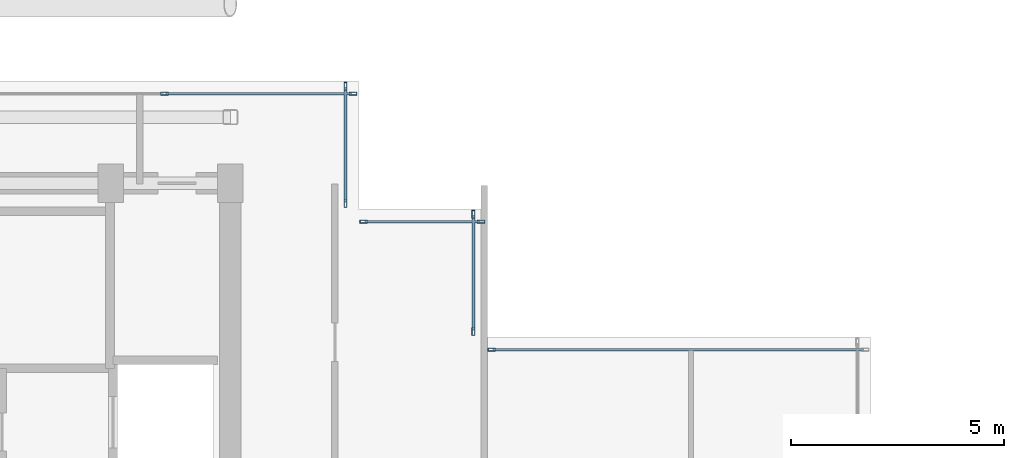
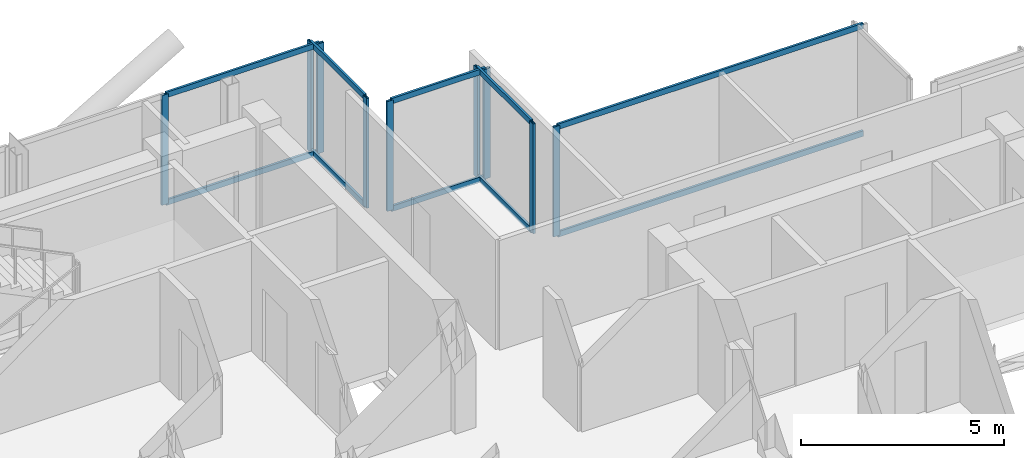
# One storey, part 10 of 18: 19 members, 5 elements without a shape of their own.
"""IFC4 building model written with IfcOpenShell, lengths in metres."""

from ifc_helpers import new_model, si_unit, direction, frame, origin, origin_2d, place, context, subcontext, project, spatial, hollow_rectangle, extrude, material, layer, layer_set, material_profile, profile_set, type_object, element, aggregate, save


model = new_model("IFC4")

# Units and contexts
model_context = context("Model", 3, precision=1e-05, world=origin(), true_north=direction((0.0, 1.0)))
body_context = subcontext(model_context, "Body", "Model", "MODEL_VIEW")
ifc_project = project(units=[si_unit("LENGTHUNIT", "METRE"), si_unit("AREAUNIT", "SQUARE_METRE"), si_unit("VOLUMEUNIT", "CUBIC_METRE"), si_unit("PLANEANGLEUNIT", "RADIAN"), si_unit("MASSUNIT", "GRAM", prefix="KILO"), si_unit("THERMODYNAMICTEMPERATUREUNIT", "KELVIN"), si_unit("POWERUNIT", "WATT")], contexts=[model_context])

# Site, building, storey
site_placement = place(None, origin())
site = spatial("IfcSite", under=ifc_project, at=site_placement, CompositionType="ELEMENT")
building_placement = place(site_placement, origin())
building = spatial("IfcBuilding", under=site, at=building_placement, Name="Svarakhadi Broadcast Tower", CompositionType="ELEMENT")
storey_placement = place(building_placement, frame((0.0, 0.0, 260.699951171875)))
storey = spatial("IfcBuildingStorey", under=building, at=storey_placement, Name="L65", CompositionType="ELEMENT", Elevation=260.699951171875)

# Curtain wall, members
ifc_material = material(Name="Anodised Bronze Aluminium AA 6063-T6", Category="aluminium")
ifc_layer = layer(ifc_material, 0.179931640625)
ifc_layer_set = layer_set([ifc_layer], Name="Anodised Bronze Aluminium AA 6063-T6")
curtain_wall_type = type_object("IfcCurtainWallType", Name="CW_Sys_05", PredefinedType="NOTDEFINED", material=ifc_layer_set)
curtain_wall_1_placement = place(storey_placement, origin())
curtain_wall_1 = element("IfcCurtainWall", 1, at=curtain_wall_1_placement, inside=storey, type_object=curtain_wall_type, Name="L65 Unitised Facade Curtain Wall 05", PredefinedType="NOTDEFINED")
ifc_material_profile_1 = material_profile(ifc_material, hollow_rectangle(XDim=0.070068359375, YDim=0.179931640625, WallThickness=0.005615234375, at=origin_2d()), Name="ALU MULLION 180x70x6")
ifc_profile_set_1 = profile_set([ifc_material_profile_1], Name="Anodised Bronze Aluminium AA 6063-T6")
member_type_1 = type_object("IfcMemberType", Name="CW_Sys_05_Mul", PredefinedType="MULLION", material=ifc_profile_set_1)
member_1_placement = place(storey_placement, frame((16.455078125, 29.699951171875, 0.0), z_axis=(0.0, 0.0, 1.0), x_axis=(0.0, 1.0, 0.0)))
member_1 = element("IfcMember", 2, at=member_1_placement, type_object=member_type_1, Name="CW-05 mullion 4", PredefinedType="MULLION", context=body_context, shape_type="SweptSolid", body=[
    extrude(hollow_rectangle(XDim=0.070068359375, YDim=0.179931640625, WallThickness=0.005615234375, at=origin_2d()), origin(), (0.0, 0.0, 1.0), 3.300048828125),
])
member_2_placement = place(storey_placement, frame((20.875, 29.699951171875, 0.0), z_axis=(0.0, 0.0, 1.0), x_axis=(0.0, 1.0, 0.0)))
member_2 = element("IfcMember", 3, at=member_2_placement, type_object=member_type_1, Name="CW-05 mullion 5", PredefinedType="MULLION", context=body_context, shape_type="SweptSolid", body=[
    extrude(hollow_rectangle(XDim=0.070068359375, YDim=0.179931640625, WallThickness=0.005615234375, at=origin_2d()), origin(), (0.0, 0.0, 1.0), 3.300048828125),
])

curtain_wall_2_placement = place(storey_placement, origin())
curtain_wall_2 = element("IfcCurtainWall", 4, at=curtain_wall_2_placement, inside=storey, type_object=curtain_wall_type, Name="L65 Unitised Facade Curtain Wall 06", PredefinedType="NOTDEFINED")
member_3_placement = place(storey_placement, frame((20.699951171875, 29.875, 0.0), z_axis=(0.0, 0.0, 1.0), x_axis=(1.0, 0.0, 0.0)))
member_3 = element("IfcMember", 5, at=member_3_placement, type_object=member_type_1, Name="CW-05 mullion 1", PredefinedType="MULLION", context=body_context, shape_type="SweptSolid", body=[
    extrude(hollow_rectangle(XDim=0.070068359375, YDim=0.179931640625, WallThickness=0.005615234375, at=origin_2d()), origin(), (0.0, 0.0, 1.0), 3.300048828125),
])
member_4_placement = place(storey_placement, frame((20.699951171875, 27.125, 0.0), z_axis=(0.0, 0.0, 1.0), x_axis=(1.0, 0.0, 0.0)))
member_4 = element("IfcMember", 6, at=member_4_placement, type_object=member_type_1, Name="CW-05 mullion 2", PredefinedType="MULLION", context=body_context, shape_type="SweptSolid", body=[
    extrude(hollow_rectangle(XDim=0.070068359375, YDim=0.179931640625, WallThickness=0.005615234375, at=origin_2d()), origin(), (0.0, 0.0, 1.0), 3.300048828125),
])

curtain_wall_3_placement = place(storey_placement, origin())
curtain_wall_3 = element("IfcCurtainWall", 7, at=curtain_wall_3_placement, inside=storey, type_object=curtain_wall_type, Name="L65 Unitised Facade Curtain Wall 07", PredefinedType="NOTDEFINED")
member_5_placement = place(storey_placement, frame((21.125, 26.699951171875, 0.0), z_axis=(0.0, 0.0, 1.0), x_axis=(0.0, 1.0, 0.0)))
member_5 = element("IfcMember", 8, at=member_5_placement, type_object=member_type_1, Name="CW-05 mullion 1", PredefinedType="MULLION", context=body_context, shape_type="SweptSolid", body=[
    extrude(hollow_rectangle(XDim=0.070068359375, YDim=0.179931640625, WallThickness=0.005615234375, at=origin_2d()), origin(), (0.0, 0.0, 1.0), 3.300048828125),
])
member_6_placement = place(storey_placement, frame((23.875, 26.699951171875, 0.0), z_axis=(0.0, 0.0, 1.0), x_axis=(0.0, 1.0, 0.0)))
member_6 = element("IfcMember", 9, at=member_6_placement, type_object=member_type_1, Name="CW-05 mullion 2", PredefinedType="MULLION", context=body_context, shape_type="SweptSolid", body=[
    extrude(hollow_rectangle(XDim=0.070068359375, YDim=0.179931640625, WallThickness=0.005615234375, at=origin_2d()), origin(), (0.0, 0.0, 1.0), 3.300048828125),
])

curtain_wall_4_placement = place(storey_placement, origin())
curtain_wall_4 = element("IfcCurtainWall", 10, at=curtain_wall_4_placement, inside=storey, type_object=curtain_wall_type, Name="L65 Unitised Facade Curtain Wall 08", PredefinedType="NOTDEFINED")
member_7_placement = place(storey_placement, frame((23.699951171875, 26.875, 0.0), z_axis=(0.0, 0.0, 1.0), x_axis=(1.0, 0.0, 0.0)))
member_7 = element("IfcMember", 11, at=member_7_placement, type_object=member_type_1, Name="CW-05 mullion 1", PredefinedType="MULLION", context=body_context, shape_type="SweptSolid", body=[
    extrude(hollow_rectangle(XDim=0.070068359375, YDim=0.179931640625, WallThickness=0.005615234375, at=origin_2d()), origin(), (0.0, 0.0, 1.0), 3.300048828125),
])
member_8_placement = place(storey_placement, frame((23.699951171875, 24.125, 0.0), z_axis=(0.0, 0.0, 1.0), x_axis=(1.0, 0.0, 0.0)))
member_8 = element("IfcMember", 12, at=member_8_placement, type_object=member_type_1, Name="CW-05 mullion 2", PredefinedType="MULLION", context=body_context, shape_type="SweptSolid", body=[
    extrude(hollow_rectangle(XDim=0.070068359375, YDim=0.179931640625, WallThickness=0.005615234375, at=origin_2d()), origin(), (0.0, 0.0, 1.0), 3.300048828125),
])

# Curtain wall, member
curtain_wall_5_placement = place(storey_placement, origin())
curtain_wall_5 = element("IfcCurtainWall", 13, at=curtain_wall_5_placement, inside=storey, type_object=curtain_wall_type, Name="L65 Unitised Facade Curtain Wall 09", PredefinedType="NOTDEFINED")
member_9_placement = place(storey_placement, frame((24.125, 23.699951171875, 0.0), z_axis=(0.0, 0.0, 1.0), x_axis=(0.0, 1.0, 0.0)))
member_9 = element("IfcMember", 14, at=member_9_placement, type_object=member_type_1, Name="CW-05 mullion 1", PredefinedType="MULLION", context=body_context, shape_type="SweptSolid", body=[
    extrude(hollow_rectangle(XDim=0.070068359375, YDim=0.179931640625, WallThickness=0.005615234375, at=origin_2d()), origin(), (0.0, 0.0, 1.0), 3.300048828125),
])

# Member
ifc_material_profile_2 = material_profile(ifc_material, hollow_rectangle(XDim=0.06494140625, YDim=0.1650390625, WallThickness=0.0048828125, at=origin_2d()), Name="ALU TRANSOM 165x65x5")
ifc_profile_set_2 = profile_set([ifc_material_profile_2], Name="Anodised Bronze Aluminium AA 6063-T6")
member_type_2 = type_object("IfcMemberType", Name="CW_Sys_05_Trn", PredefinedType="USERDEFINED", material=ifc_profile_set_2)
member_10_placement = place(storey_placement, frame((16.489990234375, 29.699951171875, 0.032470703125), z_axis=(1.0, 0.0, 0.0), x_axis=(0.0, 1.0, 0.0)))
member_10 = element("IfcMember", 15, at=member_10_placement, type_object=member_type_2, Name="CW-05 transom 4.1", ObjectType="TRANSOM", PredefinedType="USERDEFINED", context=body_context, shape_type="SweptSolid", body=[
    extrude(hollow_rectangle(XDim=0.06494140625, YDim=0.1650390625, WallThickness=0.0048828125, at=origin_2d()), origin(), (0.0, 0.0, 1.0), 4.35009765625),
])

member_11_placement = place(storey_placement, frame((16.489990234375, 29.699951171875, 3.267578125), z_axis=(1.0, 0.0, 0.0), x_axis=(0.0, 1.0, 0.0)))
member_11 = element("IfcMember", 16, at=member_11_placement, type_object=member_type_2, Name="CW-05 transom 4.2", ObjectType="TRANSOM", PredefinedType="USERDEFINED", context=body_context, shape_type="SweptSolid", body=[
    extrude(hollow_rectangle(XDim=0.06494140625, YDim=0.1650390625, WallThickness=0.0048828125, at=origin_2d()), origin(), (0.0, 0.0, 1.0), 4.35009765625),
])

aggregate(curtain_wall_1, [member_1, member_2, member_10, member_11])

member_12_placement = place(storey_placement, frame((20.699951171875, 29.840087890625, 0.032470703125), z_axis=(0.0, -1.0, 0.0), x_axis=(1.0, 0.0, 0.0)))
member_12 = element("IfcMember", 17, at=member_12_placement, type_object=member_type_2, Name="CW-05 transom 1.1", ObjectType="TRANSOM", PredefinedType="USERDEFINED", context=body_context, shape_type="SweptSolid", body=[
    extrude(hollow_rectangle(XDim=0.06494140625, YDim=0.1650390625, WallThickness=0.0048828125, at=origin_2d()), origin(), (0.0, 0.0, 1.0), 2.68017578125),
])

member_13_placement = place(storey_placement, frame((20.699951171875, 29.840087890625, 3.267578125), z_axis=(0.0, -1.0, 0.0), x_axis=(1.0, 0.0, 0.0)))
member_13 = element("IfcMember", 18, at=member_13_placement, type_object=member_type_2, Name="CW-05 transom 1.2", ObjectType="TRANSOM", PredefinedType="USERDEFINED", context=body_context, shape_type="SweptSolid", body=[
    extrude(hollow_rectangle(XDim=0.06494140625, YDim=0.1650390625, WallThickness=0.0048828125, at=origin_2d()), origin(), (0.0, 0.0, 1.0), 2.68017578125),
])

aggregate(curtain_wall_2, [member_3, member_4, member_12, member_13])

member_14_placement = place(storey_placement, frame((21.159912109375, 26.699951171875, 0.032470703125), z_axis=(1.0, 0.0, 0.0), x_axis=(0.0, 1.0, 0.0)))
member_14 = element("IfcMember", 19, at=member_14_placement, type_object=member_type_2, Name="CW-05 transom 1.1", ObjectType="TRANSOM", PredefinedType="USERDEFINED", context=body_context, shape_type="SweptSolid", body=[
    extrude(hollow_rectangle(XDim=0.06494140625, YDim=0.1650390625, WallThickness=0.0048828125, at=origin_2d()), origin(), (0.0, 0.0, 1.0), 2.68017578125),
])

member_15_placement = place(storey_placement, frame((21.159912109375, 26.699951171875, 3.267578125), z_axis=(1.0, 0.0, 0.0), x_axis=(0.0, 1.0, 0.0)))
member_15 = element("IfcMember", 20, at=member_15_placement, type_object=member_type_2, Name="CW-05 transom 1.2", ObjectType="TRANSOM", PredefinedType="USERDEFINED", context=body_context, shape_type="SweptSolid", body=[
    extrude(hollow_rectangle(XDim=0.06494140625, YDim=0.1650390625, WallThickness=0.0048828125, at=origin_2d()), origin(), (0.0, 0.0, 1.0), 2.68017578125),
])

aggregate(curtain_wall_3, [member_5, member_6, member_14, member_15])

member_16_placement = place(storey_placement, frame((23.699951171875, 26.840087890625, 0.032470703125), z_axis=(0.0, -1.0, 0.0), x_axis=(1.0, 0.0, 0.0)))
member_16 = element("IfcMember", 21, at=member_16_placement, type_object=member_type_2, Name="CW-05 transom 1.1", ObjectType="TRANSOM", PredefinedType="USERDEFINED", context=body_context, shape_type="SweptSolid", body=[
    extrude(hollow_rectangle(XDim=0.06494140625, YDim=0.1650390625, WallThickness=0.0048828125, at=origin_2d()), origin(), (0.0, 0.0, 1.0), 2.68017578125),
])

member_17_placement = place(storey_placement, frame((23.699951171875, 26.840087890625, 3.267578125), z_axis=(0.0, -1.0, 0.0), x_axis=(1.0, 0.0, 0.0)))
member_17 = element("IfcMember", 22, at=member_17_placement, type_object=member_type_2, Name="CW-05 transom 1.2", ObjectType="TRANSOM", PredefinedType="USERDEFINED", context=body_context, shape_type="SweptSolid", body=[
    extrude(hollow_rectangle(XDim=0.06494140625, YDim=0.1650390625, WallThickness=0.0048828125, at=origin_2d()), origin(), (0.0, 0.0, 1.0), 2.68017578125),
])

aggregate(curtain_wall_4, [member_7, member_8, member_16, member_17])

member_18_placement = place(storey_placement, frame((24.159912109375, 23.699951171875, 0.032470703125), z_axis=(1.0, 0.0, 0.0), x_axis=(0.0, 1.0, 0.0)))
member_18 = element("IfcMember", 23, at=member_18_placement, type_object=member_type_2, Name="CW-05 transom 1.1", ObjectType="TRANSOM", PredefinedType="USERDEFINED", context=body_context, shape_type="SweptSolid", body=[
    extrude(hollow_rectangle(XDim=0.06494140625, YDim=0.1650390625, WallThickness=0.0048828125, at=origin_2d()), origin(), (0.0, 0.0, 1.0), 8.68017578125),
])

member_19_placement = place(storey_placement, frame((24.159912109375, 23.699951171875, 3.267578125), z_axis=(1.0, 0.0, 0.0), x_axis=(0.0, 1.0, 0.0)))
member_19 = element("IfcMember", 24, at=member_19_placement, type_object=member_type_2, Name="CW-05 transom 1.2", ObjectType="TRANSOM", PredefinedType="USERDEFINED", context=body_context, shape_type="SweptSolid", body=[
    extrude(hollow_rectangle(XDim=0.06494140625, YDim=0.1650390625, WallThickness=0.0048828125, at=origin_2d()), origin(), (0.0, 0.0, 1.0), 8.68017578125),
])

aggregate(curtain_wall_5, [member_9, member_18, member_19])

save(model, "model.ifc")
